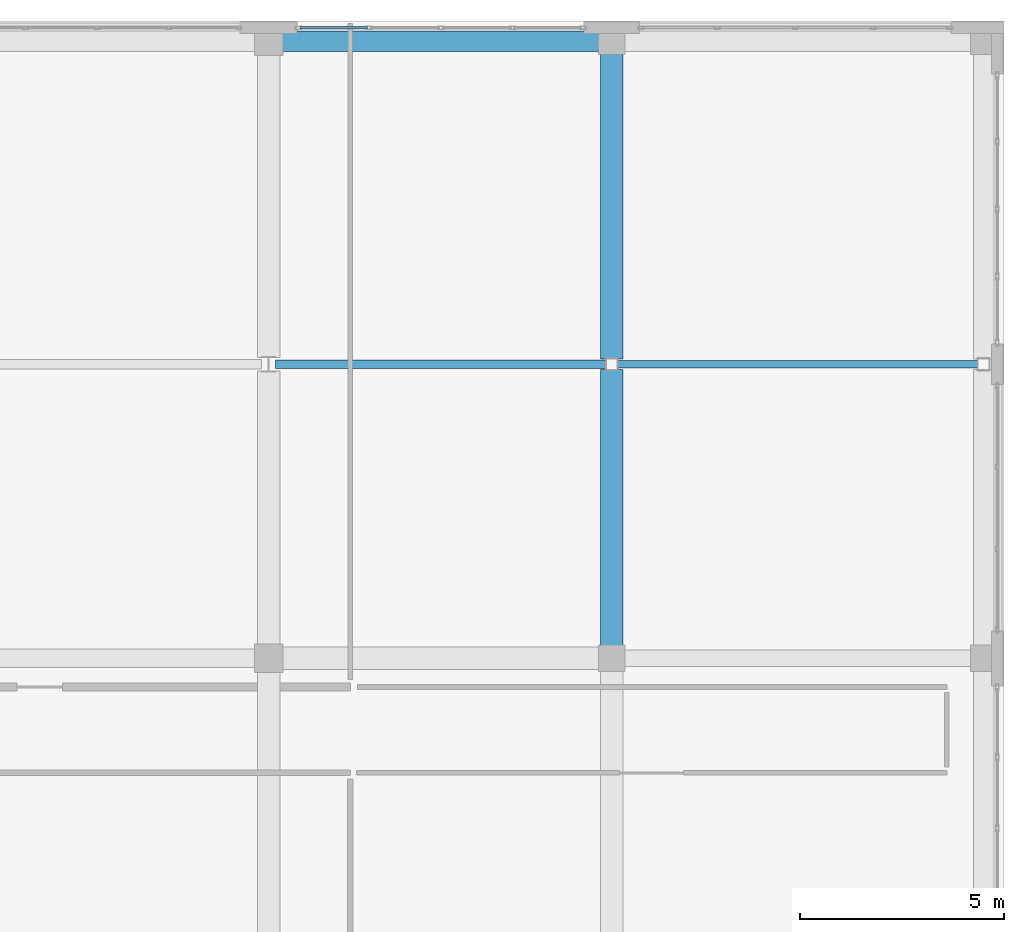
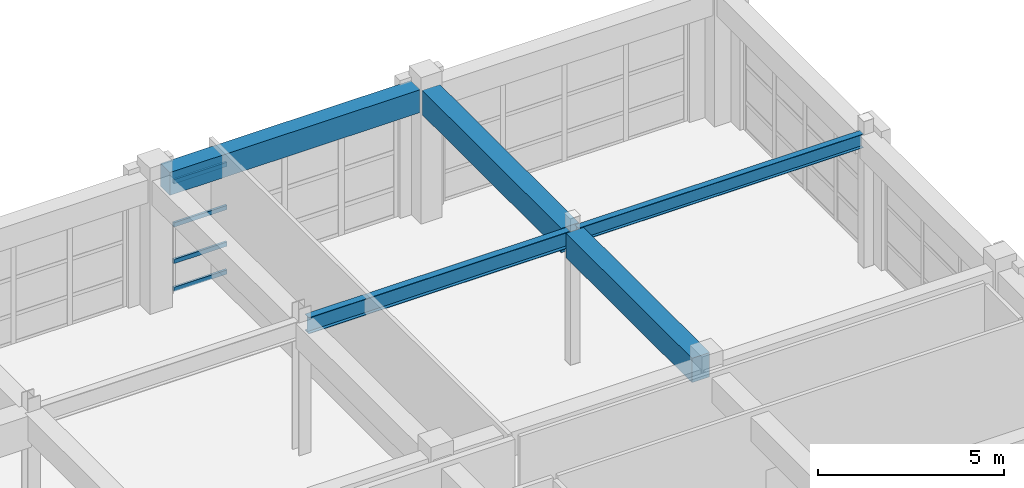
# One storey, part 84 of 123: 5 beams, 4 members, 1 element without a shape of its own.
"""IFC4 building model written with IfcOpenShell, lengths in metres."""

from ifc_helpers import new_model, si_unit, direction, frame, origin, origin_2d, place, context, subcontext, project, spatial, rectangle, hollow_rectangle, i_section, extrude, material, layer, layer_set, material_profile, profile_set, type_object, element, aggregate, save


model = new_model("IFC4")

# Units and contexts
model_context = context("Model", 3, precision=1e-05, world=origin(), true_north=direction((0.0, 1.0)))
body_context = subcontext(model_context, "Body", "Model", "MODEL_VIEW")
ifc_project = project(units=[si_unit("LENGTHUNIT", "METRE"), si_unit("AREAUNIT", "SQUARE_METRE"), si_unit("VOLUMEUNIT", "CUBIC_METRE"), si_unit("PLANEANGLEUNIT", "RADIAN"), si_unit("MASSUNIT", "GRAM", prefix="KILO")], contexts=[model_context])

# Site, building, storey
site_placement = place(None, origin())
site = spatial("IfcSite", under=ifc_project, at=site_placement, CompositionType="ELEMENT")
building_placement = place(site_placement, origin())
building = spatial("IfcBuilding", under=site, at=building_placement, Name="Quendrovan Civic Courthouse", CompositionType="ELEMENT")
storey_placement = place(building_placement, frame((0.0, 0.0, 5.39990234375)))
storey = spatial("IfcBuildingStorey", under=building, at=storey_placement, Name="L02", CompositionType="ELEMENT", Elevation=5.39990234375)

# Beams
ifc_material_1 = material(Name="Concrete C40/50", Category="concrete")
ifc_material_profile_1 = material_profile(ifc_material_1, rectangle(XDim=0.5, YDim=0.75, at=origin_2d()), Name="RC-BM-500x750")
ifc_profile_set_1 = profile_set([ifc_material_profile_1], Name="Concrete C40/50")
beam_type_1 = type_object("IfcBeamType", Name="BM-RC750", PredefinedType="SPANDREL", material=ifc_profile_set_1)
beam_1_placement = place(storey_placement, frame((143.1298828125, 109.89990234375, 3.985107421875), z_axis=(1.0, 0.0, 0.0), x_axis=(0.0, 1.0, 0.0)))
element("IfcBeam", 1, at=beam_1_placement, inside=storey, type_object=beam_type_1, Name="L02 Girder X0603", PredefinedType="SPANDREL", context=body_context, shape_type="SweptSolid", body=[
    extrude(rectangle(XDim=0.5, YDim=0.75, at=origin_2d()), origin(), (0.0, 0.0, 1.0), 7.76513671875),
])
ifc_material_profile_2 = material_profile(ifc_material_1, rectangle(XDim=0.550048828125, YDim=0.800048828125, at=origin_2d()), Name="RC-BM-550x800")
ifc_profile_set_2 = profile_set([ifc_material_profile_2], Name="Concrete C40/50")
beam_type_2 = type_object("IfcBeamType", Name="BM-RC800", PredefinedType="BEAM", material=ifc_profile_set_2)
beam_2_placement = place(storey_placement, frame((151.199951171875, 95.10498046875, 3.960205078125), z_axis=(0.0, 1.0, 0.0), x_axis=(-1.0, 0.0, 0.0)))
element("IfcBeam", 2, at=beam_2_placement, inside=storey, type_object=beam_type_2, Name="L02 Girder Y0706", PredefinedType="BEAM", context=body_context, shape_type="SweptSolid", body=[
    extrude(rectangle(XDim=0.550048828125, YDim=0.800048828125, at=origin_2d()), origin(), (0.0, 0.0, 1.0), 6.76513671875),
])
beam_3_placement = place(storey_placement, frame((151.199951171875, 102.1298828125, 3.960205078125), z_axis=(0.0, 1.0, 0.0), x_axis=(-1.0, 0.0, 0.0)))
element("IfcBeam", 3, at=beam_3_placement, inside=storey, type_object=beam_type_2, Name="L02 Girder Y0707", PredefinedType="BEAM", context=body_context, shape_type="SweptSolid", body=[
    extrude(rectangle(XDim=0.550048828125, YDim=0.800048828125, at=origin_2d()), origin(), (0.0, 0.0, 1.0), 7.465087890625),
])
ifc_material_2 = material(Name="Steel ASTM A992 Grade 50", Category="steel")
ifc_material_profile_3 = material_profile(ifc_material_2, i_section(OverallWidth=0.18994140625, OverallDepth=0.45703125, WebThickness=0.009033203125, FlangeThickness=0.014404296875, at=origin_2d()), Name="W18X50")
ifc_profile_set_3 = profile_set([ifc_material_profile_3], Name="Steel ASTM A992 Grade 50")
beam_type_3 = type_object("IfcBeamType", Name="BM-STL-W18", PredefinedType="JOIST", material=ifc_profile_set_3)
beam_4_placement = place(storey_placement, frame((151.330078125, 102.0, 4.131591796875), z_axis=(1.0, 0.0, 0.0), x_axis=(0.0, 1.0, 0.0)))
element("IfcBeam", 4, at=beam_4_placement, inside=storey, type_object=beam_type_3, Name="L02 Girder X0590", PredefinedType="JOIST", context=body_context, shape_type="SweptSolid", body=[
    extrude(i_section(OverallWidth=0.18994140625, OverallDepth=0.45703125, WebThickness=0.009033203125, FlangeThickness=0.014404296875, at=origin_2d()), origin(), (0.0, 0.0, 1.0), 8.83984375),
])
ifc_material_profile_4 = material_profile(ifc_material_2, i_section(OverallWidth=0.208984375, OverallDepth=0.532958984375, WebThickness=0.01025390625, FlangeThickness=0.015625, at=origin_2d()), Name="W21X62")
ifc_profile_set_4 = profile_set([ifc_material_profile_4], Name="Steel ASTM A992 Grade 50")
beam_type_4 = type_object("IfcBeamType", Name="BM-STL-W21", PredefinedType="JOIST", material=ifc_profile_set_4)
beam_5_placement = place(storey_placement, frame((142.967041015625, 102.0, 4.093505859375), z_axis=(1.0, 0.0, 0.0), x_axis=(0.0, 1.0, 0.0)))
element("IfcBeam", 5, at=beam_5_placement, inside=storey, type_object=beam_type_4, Name="L02 Girder X0589", PredefinedType="JOIST", context=body_context, shape_type="SweptSolid", body=[
    extrude(i_section(OverallWidth=0.208984375, OverallDepth=0.532958984375, WebThickness=0.01025390625, FlangeThickness=0.015625, at=origin_2d()), origin(), (0.0, 0.0, 1.0), 8.10302734375),
])

# Curtain wall, members
ifc_material_3 = material(Name="Bronze anodised aluminium and low-E glass", Category="aluminium")
ifc_layer = layer(ifc_material_3, 0.179931640625, Name="Bronze anodised aluminium and low-E glass")
ifc_layer_set = layer_set([ifc_layer], Name="Bronze anodised aluminium and low-E glass")
curtain_wall_type = type_object("IfcCurtainWallType", Name="CW-U70x36", PredefinedType="USERDEFINED", material=ifc_layer_set)
curtain_wall_placement = place(storey_placement, origin())
curtain_wall = element("IfcCurtainWall", 6, at=curtain_wall_placement, inside=storey, type_object=curtain_wall_type, Name="L02 Unitised Hurricane Curtain Wall CW-094", ObjectType="UNITISED CURTAIN WALL", PredefinedType="USERDEFINED")
ifc_material_4 = material(Name="Bronze anodised aluminium", Category="aluminium")
ifc_material_profile_5 = material_profile(ifc_material_4, hollow_rectangle(XDim=0.070068359375, YDim=0.139892578125, WallThickness=0.00390625, at=origin_2d()), Name="CW-TRAN-70x140")
ifc_profile_set_5 = profile_set([ifc_material_profile_5], Name="Bronze anodised aluminium")
member_type = type_object("IfcMemberType", Name="CW-TRAN-A", PredefinedType="USERDEFINED", material=ifc_profile_set_5)
member_1_placement = place(storey_placement, frame((143.570068359375, 110.235107421875, 0.03515625), z_axis=(1.0, 0.0, 0.0), x_axis=(0.0, 1.0, 0.0)))
member_1 = element("IfcMember", 7, at=member_1_placement, type_object=member_type, Name="CW-094 transom 1.1", ObjectType="TRANSOM", PredefinedType="USERDEFINED", context=body_context, shape_type="SweptSolid", body=[
    extrude(hollow_rectangle(XDim=0.070068359375, YDim=0.139892578125, WallThickness=0.00390625, at=origin_2d()), origin(), (0.0, 0.0, 1.0), 1.651123046875),
])
member_2_placement = place(storey_placement, frame((143.570068359375, 110.235107421875, 0.9501953125), z_axis=(1.0, 0.0, 0.0), x_axis=(0.0, 1.0, 0.0)))
member_2 = element("IfcMember", 8, at=member_2_placement, type_object=member_type, Name="CW-094 transom 1.2", ObjectType="TRANSOM", PredefinedType="USERDEFINED", context=body_context, shape_type="SweptSolid", body=[
    extrude(hollow_rectangle(XDim=0.070068359375, YDim=0.139892578125, WallThickness=0.00390625, at=origin_2d()), origin(), (0.0, 0.0, 1.0), 1.651123046875),
])
member_3_placement = place(storey_placement, frame((143.570068359375, 110.235107421875, 2.150146484375), z_axis=(1.0, 0.0, 0.0), x_axis=(0.0, 1.0, 0.0)))
member_3 = element("IfcMember", 9, at=member_3_placement, type_object=member_type, Name="CW-094 transom 1.3", ObjectType="TRANSOM", PredefinedType="USERDEFINED", context=body_context, shape_type="SweptSolid", body=[
    extrude(hollow_rectangle(XDim=0.070068359375, YDim=0.139892578125, WallThickness=0.00390625, at=origin_2d()), origin(), (0.0, 0.0, 1.0), 1.651123046875),
])
member_4_placement = place(storey_placement, frame((143.570068359375, 110.235107421875, 3.565185546875), z_axis=(1.0, 0.0, 0.0), x_axis=(0.0, 1.0, 0.0)))
member_4 = element("IfcMember", 10, at=member_4_placement, type_object=member_type, Name="CW-094 transom 1.4", ObjectType="TRANSOM", PredefinedType="USERDEFINED", context=body_context, shape_type="SweptSolid", body=[
    extrude(hollow_rectangle(XDim=0.070068359375, YDim=0.139892578125, WallThickness=0.00390625, at=origin_2d()), origin(), (0.0, 0.0, 1.0), 1.651123046875),
])
aggregate(curtain_wall, [member_1, member_2, member_3, member_4])

save(model, "model.ifc")
